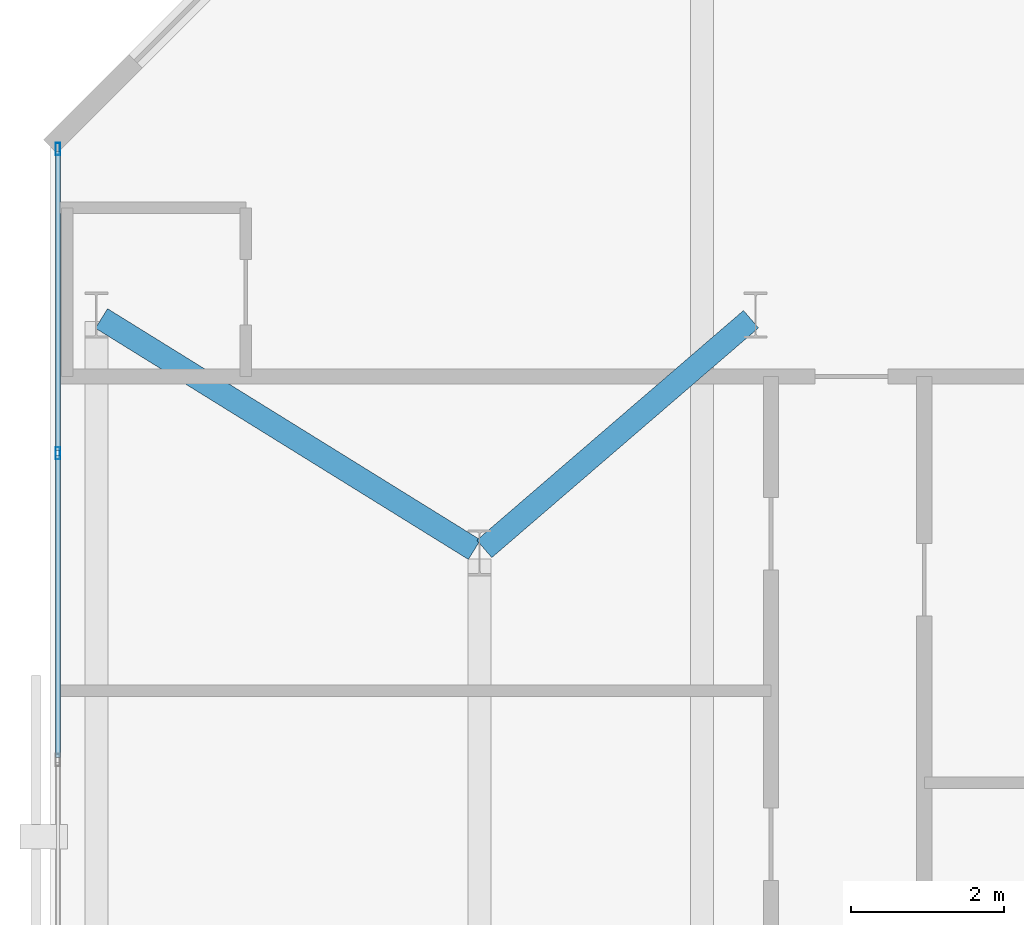
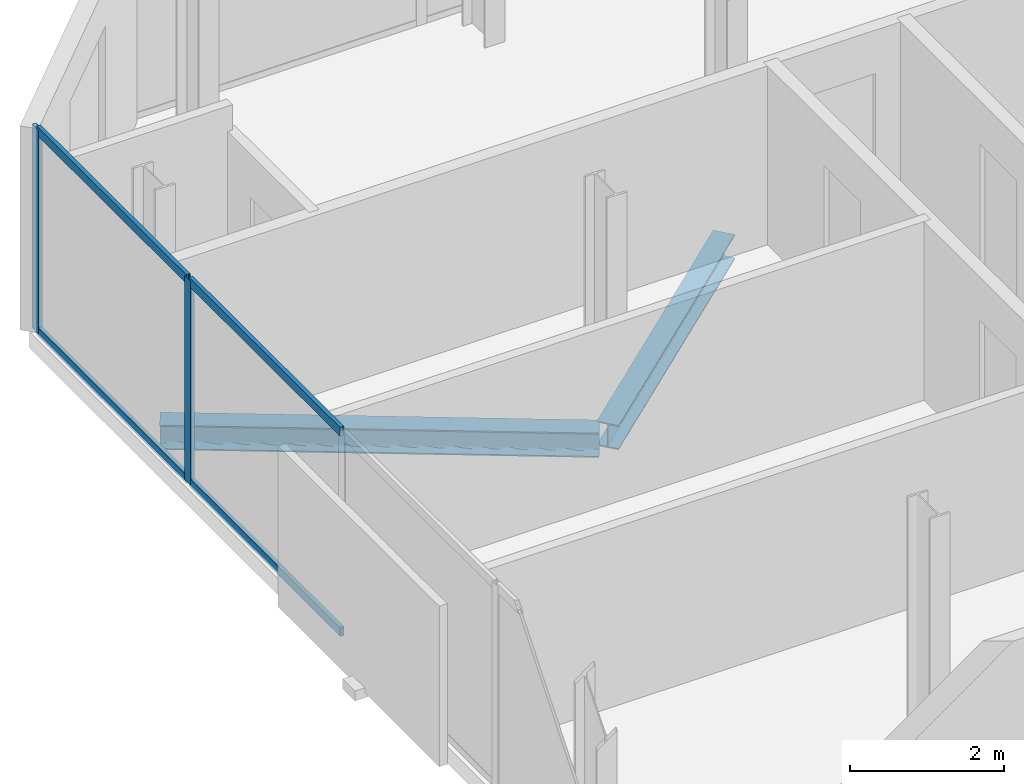
# One storey, part 17 of 32: 6 members, 2 beams, 1 element without a shape of its own.
"""IFC4 building model written with IfcOpenShell, lengths in metres."""

from ifc_helpers import new_model, si_unit, direction, frame, origin, origin_2d, place, context, subcontext, project, spatial, hollow_rectangle, i_section, extrude, material, layer, layer_set, material_profile, profile_set, type_object, element, aggregate, save


model = new_model("IFC4")

# Units and contexts
model_context = context("Model", 3, precision=1e-05, world=origin(), true_north=direction((0.0, 1.0)))
body_context = subcontext(model_context, "Body", "Model", "MODEL_VIEW")
ifc_project = project(units=[si_unit("LENGTHUNIT", "METRE"), si_unit("AREAUNIT", "SQUARE_METRE"), si_unit("VOLUMEUNIT", "CUBIC_METRE"), si_unit("PLANEANGLEUNIT", "RADIAN"), si_unit("MASSUNIT", "GRAM", prefix="KILO")], contexts=[model_context])

# Site, building, storey
site_placement = place(None, origin())
site = spatial("IfcSite", under=ifc_project, at=site_placement, CompositionType="ELEMENT")
building_placement = place(site_placement, origin())
building = spatial("IfcBuilding", under=site, at=building_placement, Name="Catumbela Crestline Tower", CompositionType="ELEMENT")
storey_placement = place(building_placement, frame((0.0, 0.0, 140.4)))
storey = spatial("IfcBuildingStorey", under=building, at=storey_placement, Name="L36", CompositionType="ELEMENT", Elevation=140.4)

# Beams
ifc_material_1 = material(Name="Structural steel S355J2", Category="steel")
ifc_material_profile_1 = material_profile(ifc_material_1, i_section(OverallWidth=0.3, OverallDepth=0.39, WebThickness=0.011, FlangeThickness=0.019, FilletRadius=0.027, at=origin_2d()), Name="HEA 400")
ifc_profile_set_1 = profile_set([ifc_material_profile_1], Name="Structural steel S355J2")
beam_type = type_object("IfcBeamType", Name="BG-HEA400", PredefinedType="BEAM", material=ifc_profile_set_1)
beam_1_placement = place(storey_placement, frame((0.668, 42.2578, -0.455), z_axis=(0.849908952007, -0.526929571479, 0.0), x_axis=(0.526929571479, 0.849908952007, 0.0)))
element("IfcBeam", 1, at=beam_1_placement, inside=storey, type_object=beam_type, Name="L36 Beam BM-L36-N12", PredefinedType="BEAM", context=body_context, shape_type="SweptSolid", body=[
    extrude(i_section(OverallWidth=0.3, OverallDepth=0.39, WebThickness=0.011, FlangeThickness=0.019, FilletRadius=0.027, at=origin_2d()), origin(), (0.0, 0.0, 1.0), 5.723),
])
beam_2_placement = place(storey_placement, frame((5.6606, 39.2522, -0.455), z_axis=(0.757772392559, 0.652518966066, 0.0), x_axis=(-0.652518966066, 0.757772392559, 0.0)))
element("IfcBeam", 2, at=beam_2_placement, inside=storey, type_object=beam_type, Name="L36 Beam BM-L36-N13", PredefinedType="BEAM", context=body_context, shape_type="SweptSolid", body=[
    extrude(i_section(OverallWidth=0.3, OverallDepth=0.39, WebThickness=0.011, FlangeThickness=0.019, FilletRadius=0.027, at=origin_2d()), origin(), (0.0, 0.0, 1.0), 4.5908),
])

# Curtain wall, members
ifc_material_2 = material(Name="Aluminium alloy AW-6060-T66", Category="aluminium")
ifc_layer = layer(ifc_material_2, 0.18, Name="Aluminium alloy AW-6060-T66")
ifc_layer_set = layer_set([ifc_layer], Name="Aluminium alloy AW-6060-T66")
curtain_wall_type = type_object("IfcCurtainWallType", Name="CWU-Z2", PredefinedType="USERDEFINED", material=ifc_layer_set)
curtain_wall_placement = place(storey_placement, origin())
curtain_wall = element("IfcCurtainWall", 3, at=curtain_wall_placement, inside=storey, type_object=curtain_wall_type, Name="L36 Unitised Curtain Wall CW-L36-E9S1", ObjectType="UNITISED", PredefinedType="USERDEFINED")
ifc_material_profile_2 = material_profile(ifc_material_2, hollow_rectangle(XDim=0.06, YDim=0.16, WallThickness=0.004, at=origin_2d()), Name="ALU 160x60x4")
ifc_profile_set_2 = profile_set([ifc_material_profile_2], Name="Aluminium alloy AW-6060-T66")
member_type_1 = type_object("IfcMemberType", Name="MUL-160X60", PredefinedType="MULLION", material=ifc_profile_set_2)
member_1_placement = place(storey_placement, frame((0.1, 44.4675, 0.0), z_axis=(0.0, 0.0, 1.0), x_axis=(1.0, 0.0, 0.0)))
member_1 = element("IfcMember", 4, at=member_1_placement, type_object=member_type_1, Name="CWU-Z2 mullion 1", PredefinedType="MULLION", context=body_context, shape_type="SweptSolid", body=[
    extrude(hollow_rectangle(XDim=0.06, YDim=0.16, WallThickness=0.004, at=origin_2d()), origin(), (0.0, 0.0, 1.0), 3.24),
])
member_2_placement = place(storey_placement, frame((0.1, 40.5, 0.0), z_axis=(0.0, 0.0, 1.0), x_axis=(1.0, 0.0, 0.0)))
member_2 = element("IfcMember", 5, at=member_2_placement, type_object=member_type_1, Name="CWU-Z2 mullion 2", PredefinedType="MULLION", context=body_context, shape_type="SweptSolid", body=[
    extrude(hollow_rectangle(XDim=0.06, YDim=0.16, WallThickness=0.004, at=origin_2d()), origin(), (0.0, 0.0, 1.0), 3.24),
])
ifc_material_profile_3 = material_profile(ifc_material_2, hollow_rectangle(XDim=0.06, YDim=0.14, WallThickness=0.004, at=origin_2d()), Name="ALU 140x60x4")
ifc_profile_set_3 = profile_set([ifc_material_profile_3], Name="Aluminium alloy AW-6060-T66")
member_type_2 = type_object("IfcMemberType", Name="TRN-140X60", PredefinedType="USERDEFINED", material=ifc_profile_set_3)
member_3_placement = place(storey_placement, frame((0.1, 44.435, 0.03), z_axis=(0.0, -1.0, 0.0), x_axis=(1.0, 0.0, 0.0)))
member_3 = element("IfcMember", 6, at=member_3_placement, type_object=member_type_2, Name="CWU-Z2 transom 1.1", ObjectType="TRANSOM", PredefinedType="USERDEFINED", context=body_context, shape_type="SweptSolid", body=[
    extrude(hollow_rectangle(XDim=0.06, YDim=0.14, WallThickness=0.004, at=origin_2d()), origin(), (0.0, 0.0, 1.0), 3.9025),
])
member_4_placement = place(storey_placement, frame((0.1, 44.435, 3.21), z_axis=(0.0, -1.0, 0.0), x_axis=(1.0, 0.0, 0.0)))
member_4 = element("IfcMember", 7, at=member_4_placement, type_object=member_type_2, Name="CWU-Z2 transom 1.2", ObjectType="TRANSOM", PredefinedType="USERDEFINED", context=body_context, shape_type="SweptSolid", body=[
    extrude(hollow_rectangle(XDim=0.06, YDim=0.14, WallThickness=0.004, at=origin_2d()), origin(), (0.0, 0.0, 1.0), 3.9025),
])
member_5_placement = place(storey_placement, frame((0.1, 40.4675, 0.03), z_axis=(0.0, -1.0, 0.0), x_axis=(1.0, 0.0, 0.0)))
member_5 = element("IfcMember", 8, at=member_5_placement, type_object=member_type_2, Name="CWU-Z2 transom 2.1", ObjectType="TRANSOM", PredefinedType="USERDEFINED", context=body_context, shape_type="SweptSolid", body=[
    extrude(hollow_rectangle(XDim=0.06, YDim=0.14, WallThickness=0.004, at=origin_2d()), origin(), (0.0, 0.0, 1.0), 3.935),
])
member_6_placement = place(storey_placement, frame((0.1, 40.4675, 3.21), z_axis=(0.0, -1.0, 0.0), x_axis=(1.0, 0.0, 0.0)))
member_6 = element("IfcMember", 9, at=member_6_placement, type_object=member_type_2, Name="CWU-Z2 transom 2.2", ObjectType="TRANSOM", PredefinedType="USERDEFINED", context=body_context, shape_type="SweptSolid", body=[
    extrude(hollow_rectangle(XDim=0.06, YDim=0.14, WallThickness=0.004, at=origin_2d()), origin(), (0.0, 0.0, 1.0), 3.935),
])
aggregate(curtain_wall, [member_1, member_2, member_3, member_4, member_5, member_6])

save(model, "model.ifc")
